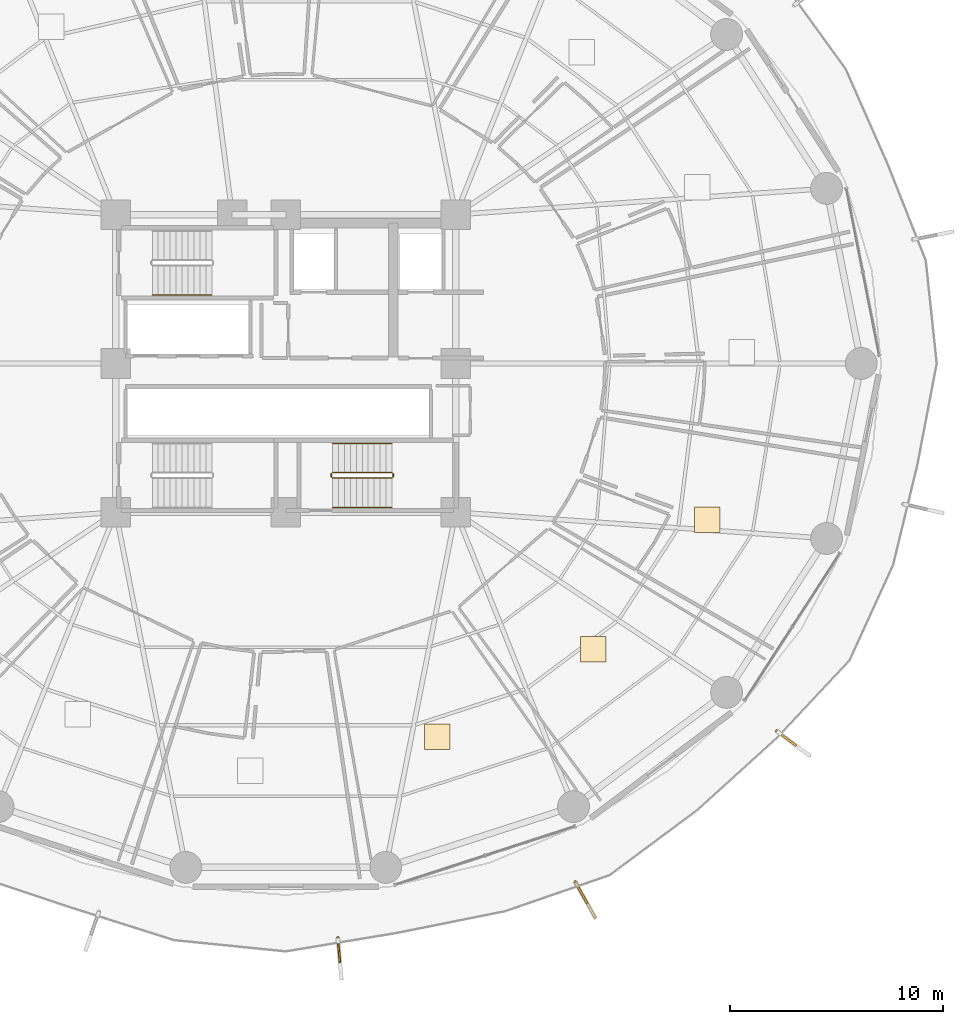
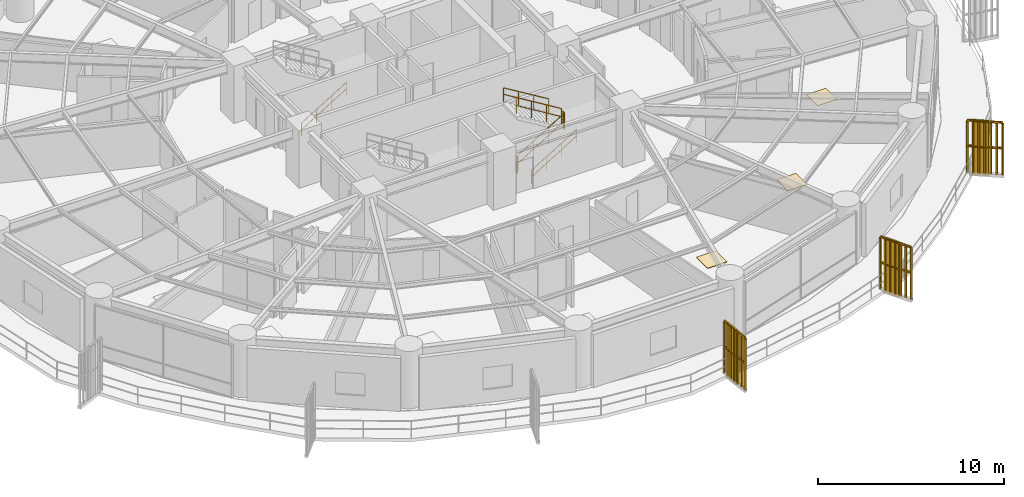
# One storey, part 31 of 34: 10 railings, 3 coverings, 3 shading devices.
"""IFC4 building model written with IfcOpenShell, lengths in metres."""

from ifc_helpers import new_model, si_unit, direction, frame, origin, origin_2d, place, context, subcontext, project, spatial, polyline, rectangle, outline, extrude, source, transform, mapped, material, layer, layer_set, type_object, element, save


model = new_model("IFC4")

# Units and contexts
model_context = context("Model", 3, precision=1e-05, world=origin(), true_north=direction((0.0, 1.0)))
body_context = subcontext(model_context, "Body", "Model", "MODEL_VIEW")
ifc_project = project(units=[si_unit("LENGTHUNIT", "METRE"), si_unit("AREAUNIT", "SQUARE_METRE"), si_unit("VOLUMEUNIT", "CUBIC_METRE"), si_unit("PLANEANGLEUNIT", "RADIAN"), si_unit("MASSUNIT", "GRAM", prefix="KILO")], contexts=[model_context])

# Site, building, storey
site_placement = place(None, origin())
site = spatial("IfcSite", under=ifc_project, at=site_placement, CompositionType="ELEMENT")
building_placement = place(site_placement, origin())
building = spatial("IfcBuilding", under=site, at=building_placement, Name="Kelanora Arch Commons", CompositionType="ELEMENT")
storey_placement = place(building_placement, frame((0.0, 0.0, 33.75)))
storey = spatial("IfcBuildingStorey", under=building, at=storey_placement, Name="L08", CompositionType="ELEMENT", Elevation=33.75)

# Railings
ifc_material_1 = material(Name="Anodised bronze vertical shading fin rib assembly")
railing_type_1 = type_object("IfcRailingType", Name="RAIL-FIN-BRZ", PredefinedType="BALUSTRADE", material=ifc_material_1)
railing_1_placement = place(storey_placement, frame((76.44775390625, 30.966796875, -0.02001953125)))
element("IfcRailing", 1, at=railing_1_placement, inside=storey, type_object=railing_type_1, Name="Sweeping Bronze Vertical Fin Blade L08-11", PredefinedType="BALUSTRADE", context=body_context, shape_type="SweptSolid", body=[
    extrude(outline(polyline([(0.06982421875, 0.0), (0.034912109375, 0.060546875), (-0.034912109375, 0.060546875), (-0.06982421875, 0.0), (-0.034912109375, -0.060546875), (0.034912109375, -0.060546875), (0.06982421875, 0.0)])), frame((0.0, 0.0, 3.419921875), z_axis=(0.090271705063, -0.995917174902, 0.0), x_axis=(0.995917174902, 0.090271705063, 0.0)), (0.0, 0.0, 1.0), 1.91748046875),
    extrude(outline(polyline([(0.06982421875, 0.0), (0.034912109375, 0.060546875), (-0.034912109375, 0.060546875), (-0.06982421875, 0.0), (-0.034912109375, -0.060546875), (0.034912109375, -0.060546875), (0.06982421875, 0.0)])), frame((0.0, 0.0, 1.7451171875), z_axis=(0.090271705063, -0.995917174902, 0.0), x_axis=(0.995917174902, 0.090271705063, 0.0)), (0.0, 0.0, 1.0), 1.91748046875),
    extrude(outline(polyline([(0.080078125, 0.0), (0.0400390625, 0.0693359375), (-0.0400390625, 0.0693359375), (-0.080078125, 0.0), (-0.0400390625, -0.0693359375), (0.0400390625, -0.0693359375), (0.080078125, 0.0)])), origin(), (0.0, 0.0, 1.0), 3.35009765625),
    extrude(outline(polyline([(0.080078125, 0.0), (0.0400390625, 0.0693359375), (-0.0400390625, 0.0693359375), (-0.080078125, 0.0), (-0.0400390625, -0.0693359375), (0.0400390625, -0.0693359375), (0.080078125, 0.0)])), frame((0.02880859375, -0.318359375, 0.0)), (0.0, 0.0, 1.0), 3.35009765625),
    extrude(outline(polyline([(0.080078125, 0.0), (0.0400390625, 0.0693359375), (-0.0400390625, 0.0693359375), (-0.080078125, 0.0), (-0.0400390625, -0.0693359375), (0.0400390625, -0.0693359375), (0.080078125, 0.0)])), frame((0.0576171875, -0.636474609375, 0.0)), (0.0, 0.0, 1.0), 3.35009765625),
    extrude(outline(polyline([(0.080078125, 0.0), (0.0400390625, 0.0693359375), (-0.0400390625, 0.0693359375), (-0.080078125, 0.0), (-0.0400390625, -0.0693359375), (0.0400390625, -0.0693359375), (0.080078125, 0.0)])), frame((0.08642578125, -0.954833984375, 0.0)), (0.0, 0.0, 1.0), 3.35009765625),
    extrude(outline(polyline([(0.080078125, 0.0), (0.0400390625, 0.0693359375), (-0.0400390625, 0.0693359375), (-0.080078125, 0.0), (-0.0400390625, -0.0693359375), (0.0400390625, -0.0693359375), (0.080078125, 0.0)])), frame((0.115478515625, -1.273193359375, 0.0)), (0.0, 0.0, 1.0), 3.35009765625),
    extrude(outline(polyline([(0.080078125, 0.0), (0.0400390625, 0.0693359375), (-0.0400390625, 0.0693359375), (-0.080078125, 0.0), (-0.0400390625, -0.0693359375), (0.0400390625, -0.0693359375), (0.080078125, 0.0)])), frame((0.144287109375, -1.59130859375, 0.0)), (0.0, 0.0, 1.0), 3.35009765625),
    extrude(outline(polyline([(0.080078125, 0.0), (0.0400390625, 0.0693359375), (-0.0400390625, 0.0693359375), (-0.080078125, 0.0), (-0.0400390625, -0.0693359375), (0.0400390625, -0.0693359375), (0.080078125, 0.0)])), frame((0.173095703125, -1.90966796875, 0.0)), (0.0, 0.0, 1.0), 3.35009765625),
])
railing_2_placement = place(storey_placement, frame((87.6240234375, 33.5966796875, -0.02001953125)))
element("IfcRailing", 2, at=railing_2_placement, inside=storey, type_object=railing_type_1, Name="Sweeping Bronze Vertical Fin Blade L08-12", PredefinedType="BALUSTRADE", context=body_context, shape_type="SweptSolid", body=[
    extrude(outline(polyline([(0.06982421875, 0.0), (0.034912109375, 0.060546875), (-0.034912109375, 0.060546875), (-0.06982421875, 0.0), (-0.034912109375, -0.060546875), (0.034912109375, -0.060546875), (0.06982421875, 0.0)])), frame((0.0, 0.0, 3.419921875), z_axis=(0.487490319577, -0.873128391658, 0.0), x_axis=(0.873128391658, 0.487490319577, 0.0)), (0.0, 0.0, 1.0), 1.917724609375),
    extrude(outline(polyline([(0.06982421875, 0.0), (0.034912109375, 0.060546875), (-0.034912109375, 0.060546875), (-0.06982421875, 0.0), (-0.034912109375, -0.060546875), (0.034912109375, -0.060546875), (0.06982421875, 0.0)])), frame((0.0, 0.0, 1.7451171875), z_axis=(0.487490319577, -0.873128391658, 0.0), x_axis=(0.873128391658, 0.487490319577, 0.0)), (0.0, 0.0, 1.0), 1.917724609375),
    extrude(outline(polyline([(0.080078125, 0.0), (0.0400390625, 0.0693359375), (-0.0400390625, 0.0693359375), (-0.080078125, 0.0), (-0.0400390625, -0.0693359375), (0.0400390625, -0.0693359375), (0.080078125, 0.0)])), origin(), (0.0, 0.0, 1.0), 3.35009765625),
    extrude(outline(polyline([(0.080078125, 0.0), (0.0400390625, 0.0693359375), (-0.0400390625, 0.0693359375), (-0.080078125, 0.0), (-0.0400390625, -0.0693359375), (0.0400390625, -0.0693359375), (0.080078125, 0.0)])), frame((0.15576171875, -0.279052734375, 0.0)), (0.0, 0.0, 1.0), 3.35009765625),
    extrude(outline(polyline([(0.080078125, 0.0), (0.0400390625, 0.0693359375), (-0.0400390625, 0.0693359375), (-0.080078125, 0.0), (-0.0400390625, -0.0693359375), (0.0400390625, -0.0693359375), (0.080078125, 0.0)])), frame((0.3115234375, -0.55810546875, 0.0)), (0.0, 0.0, 1.0), 3.35009765625),
    extrude(outline(polyline([(0.080078125, 0.0), (0.0400390625, 0.0693359375), (-0.0400390625, 0.0693359375), (-0.080078125, 0.0), (-0.0400390625, -0.0693359375), (0.0400390625, -0.0693359375), (0.080078125, 0.0)])), frame((0.46728515625, -0.837158203125, 0.0)), (0.0, 0.0, 1.0), 3.35009765625),
    extrude(outline(polyline([(0.080078125, 0.0), (0.0400390625, 0.0693359375), (-0.0400390625, 0.0693359375), (-0.080078125, 0.0), (-0.0400390625, -0.0693359375), (0.0400390625, -0.0693359375), (0.080078125, 0.0)])), frame((0.623291015625, -1.1162109375, 0.0)), (0.0, 0.0, 1.0), 3.35009765625),
    extrude(outline(polyline([(0.080078125, 0.0), (0.0400390625, 0.0693359375), (-0.0400390625, 0.0693359375), (-0.080078125, 0.0), (-0.0400390625, -0.0693359375), (0.0400390625, -0.0693359375), (0.080078125, 0.0)])), frame((0.779052734375, -1.395263671875, 0.0)), (0.0, 0.0, 1.0), 3.35009765625),
    extrude(outline(polyline([(0.080078125, 0.0), (0.0400390625, 0.0693359375), (-0.0400390625, 0.0693359375), (-0.080078125, 0.0), (-0.0400390625, -0.0693359375), (0.0400390625, -0.0693359375), (0.080078125, 0.0)])), frame((0.934814453125, -1.67431640625, 0.0)), (0.0, 0.0, 1.0), 3.35009765625),
])
railing_3_placement = place(storey_placement, frame((97.104248046875, 40.699462890625, -0.02001953125)))
element("IfcRailing", 3, at=railing_3_placement, inside=storey, type_object=railing_type_1, Name="Sweeping Bronze Vertical Fin Blade L08-13", PredefinedType="BALUSTRADE", context=body_context, shape_type="SweptSolid", body=[
    extrude(outline(polyline([(0.06982421875, 0.0), (0.034912109375, 0.060546875), (-0.034912109375, 0.060546875), (-0.06982421875, 0.0), (-0.034912109375, -0.060546875), (0.034912109375, -0.060546875), (0.06982421875, 0.0)])), frame((0.0, 0.0, 3.419921875), z_axis=(0.800503931862, -0.59932750235, 0.0), x_axis=(0.59932750235, 0.800503931862, 0.0)), (0.0, 0.0, 1.0), 1.91748046875),
    extrude(outline(polyline([(0.06982421875, 0.0), (0.034912109375, 0.060546875), (-0.034912109375, 0.060546875), (-0.06982421875, 0.0), (-0.034912109375, -0.060546875), (0.034912109375, -0.060546875), (0.06982421875, 0.0)])), frame((0.0, 0.0, 1.7451171875), z_axis=(0.800503931862, -0.59932750235, 0.0), x_axis=(0.59932750235, 0.800503931862, 0.0)), (0.0, 0.0, 1.0), 1.91748046875),
    extrude(outline(polyline([(0.080078125, 0.0), (0.0400390625, 0.0693359375), (-0.0400390625, 0.0693359375), (-0.080078125, 0.0), (-0.0400390625, -0.0693359375), (0.0400390625, -0.0693359375), (0.080078125, 0.0)])), origin(), (0.0, 0.0, 1.0), 3.35009765625),
    extrude(outline(polyline([(0.080078125, 0.0), (0.0400390625, 0.0693359375), (-0.0400390625, 0.0693359375), (-0.080078125, 0.0), (-0.0400390625, -0.0693359375), (0.0400390625, -0.0693359375), (0.080078125, 0.0)])), frame((0.255859375, -0.19140625, 0.0)), (0.0, 0.0, 1.0), 3.35009765625),
    extrude(outline(polyline([(0.080078125, 0.0), (0.0400390625, 0.0693359375), (-0.0400390625, 0.0693359375), (-0.080078125, 0.0), (-0.0400390625, -0.0693359375), (0.0400390625, -0.0693359375), (0.080078125, 0.0)])), frame((0.51171875, -0.383056640625, 0.0)), (0.0, 0.0, 1.0), 3.35009765625),
    extrude(outline(polyline([(0.080078125, 0.0), (0.0400390625, 0.0693359375), (-0.0400390625, 0.0693359375), (-0.080078125, 0.0), (-0.0400390625, -0.0693359375), (0.0400390625, -0.0693359375), (0.080078125, 0.0)])), frame((0.767578125, -0.57470703125, 0.0)), (0.0, 0.0, 1.0), 3.35009765625),
    extrude(outline(polyline([(0.080078125, 0.0), (0.0400390625, 0.0693359375), (-0.0400390625, 0.0693359375), (-0.080078125, 0.0), (-0.0400390625, -0.0693359375), (0.0400390625, -0.0693359375), (0.080078125, 0.0)])), frame((1.023193359375, -0.76611328125, 0.0)), (0.0, 0.0, 1.0), 3.35009765625),
    extrude(outline(polyline([(0.080078125, 0.0), (0.0400390625, 0.0693359375), (-0.0400390625, 0.0693359375), (-0.080078125, 0.0), (-0.0400390625, -0.0693359375), (0.0400390625, -0.0693359375), (0.080078125, 0.0)])), frame((1.279052734375, -0.95751953125, 0.0)), (0.0, 0.0, 1.0), 3.35009765625),
    extrude(outline(polyline([(0.080078125, 0.0), (0.0400390625, 0.0693359375), (-0.0400390625, 0.0693359375), (-0.080078125, 0.0), (-0.0400390625, -0.0693359375), (0.0400390625, -0.0693359375), (0.080078125, 0.0)])), frame((1.534912109375, -1.149169921875, 0.0)), (0.0, 0.0, 1.0), 3.35009765625),
])
ifc_material_2 = material(Name="Painted steel stair well guard", Category="steel")
railing_type_2 = type_object("IfcRailingType", Name="RAIL-STAIR-GRD", PredefinedType="GUARDRAIL", material=ifc_material_2)
railing_4_placement = place(storey_placement, frame((76.199951171875, 52.610107421875, 0.17041015625)))
element("IfcRailing", 4, at=railing_4_placement, inside=storey, type_object=railing_type_2, Name="L08 ST-T2 stair guard 1", PredefinedType="GUARDRAIL", context=body_context, shape_type="SweptSolid", body=[
    extrude(outline(polyline([(0.02392578125, 0.0), (0.011962890625, 0.020751953125), (-0.011962890625, 0.020751953125), (-0.02392578125, 0.0), (-0.011962890625, -0.020751953125), (0.011962890625, -0.020751953125), (0.02392578125, 0.0)])), frame((0.0, 0.0, 1.076171875), z_axis=(0.854169791009, 0.0, 0.51999420009), x_axis=(0.0, 1.0, 0.0)), (0.0, 0.0, 1.0), 3.278076171875),
    extrude(outline(polyline([(0.02392578125, 0.0), (0.011962890625, 0.020751953125), (-0.011962890625, 0.020751953125), (-0.02392578125, 0.0), (-0.011962890625, -0.020751953125), (0.011962890625, -0.020751953125), (0.02392578125, 0.0)])), frame((0.0, 0.0, 0.550048828125), z_axis=(0.854169791009, 0.0, 0.51999420009), x_axis=(0.0, 1.0, 0.0)), (0.0, 0.0, 1.0), 3.278076171875),
    extrude(outline(polyline([(0.02099609375, 0.0), (0.010498046875, 0.01806640625), (-0.010498046875, 0.01806640625), (-0.02099609375, 0.0), (-0.010498046875, -0.01806640625), (0.010498046875, -0.01806640625), (0.02099609375, 0.0)])), origin(), (0.0, 0.0, 1.0), 1.052001953125),
    extrude(outline(polyline([(0.02099609375, 0.0), (0.010498046875, 0.01806640625), (-0.010498046875, 0.01806640625), (-0.02099609375, 0.0), (-0.010498046875, -0.01806640625), (0.010498046875, -0.01806640625), (0.02099609375, 0.0)])), frame((0.933349609375, 0.0, 0.568115234375)), (0.0, 0.0, 1.0), 1.052001953125),
    extrude(outline(polyline([(0.02099609375, 0.0), (0.010498046875, 0.01806640625), (-0.010498046875, 0.01806640625), (-0.02099609375, 0.0), (-0.010498046875, -0.01806640625), (0.010498046875, -0.01806640625), (0.02099609375, 0.0)])), frame((1.86669921875, 0.0, 1.136474609375)), (0.0, 0.0, 1.0), 1.052001953125),
    extrude(outline(polyline([(0.02099609375, 0.0), (0.010498046875, 0.01806640625), (-0.010498046875, 0.01806640625), (-0.02099609375, 0.0), (-0.010498046875, -0.01806640625), (0.010498046875, -0.01806640625), (0.02099609375, 0.0)])), frame((2.800048828125, 0.0, 1.70458984375)), (0.0, 0.0, 1.0), 1.052001953125),
])
railing_5_placement = place(storey_placement, frame((79.050048828125, 52.659912109375, 1.875)))
element("IfcRailing", 5, at=railing_5_placement, inside=storey, type_object=railing_type_2, Name="L08 ST-T2 stair guard 2", PredefinedType="GUARDRAIL", context=body_context, shape_type="SweptSolid", body=[
    extrude(outline(polyline([(0.02392578125, 0.0), (0.011962890625, 0.020751953125), (-0.011962890625, 0.020751953125), (-0.02392578125, 0.0), (-0.011962890625, -0.020751953125), (0.011962890625, -0.020751953125), (0.02392578125, 0.0)])), frame((0.0, 0.0, 1.076171875), z_axis=(0.0, 1.0, 0.0), x_axis=(-1.0, 0.0, 0.0)), (0.0, 0.0, 1.0), 0.150146484375),
    extrude(outline(polyline([(0.02392578125, 0.0), (0.011962890625, 0.020751953125), (-0.011962890625, 0.020751953125), (-0.02392578125, 0.0), (-0.011962890625, -0.020751953125), (0.011962890625, -0.020751953125), (0.02392578125, 0.0)])), frame((0.0, 0.0, 0.550048828125), z_axis=(0.0, 1.0, 0.0), x_axis=(-1.0, 0.0, 0.0)), (0.0, 0.0, 1.0), 0.150146484375),
    extrude(outline(polyline([(0.02099609375, 0.0), (0.010498046875, 0.01806640625), (-0.010498046875, 0.01806640625), (-0.02099609375, 0.0), (-0.010498046875, -0.01806640625), (0.010498046875, -0.01806640625), (0.02099609375, 0.0)])), origin(), (0.0, 0.0, 1.0), 1.052001953125),
    extrude(outline(polyline([(0.02099609375, 0.0), (0.010498046875, 0.01806640625), (-0.010498046875, 0.01806640625), (-0.02099609375, 0.0), (-0.010498046875, -0.01806640625), (0.010498046875, -0.01806640625), (0.02099609375, 0.0)])), frame((0.0, 0.150146484375, 0.0)), (0.0, 0.0, 1.0), 1.052001953125),
])
railing_6_placement = place(storey_placement, frame((79.0, 52.860107421875, 2.04541015625)))
element("IfcRailing", 6, at=railing_6_placement, inside=storey, type_object=railing_type_2, Name="L08 ST-T2 stair guard 3", PredefinedType="GUARDRAIL", context=body_context, shape_type="SweptSolid", body=[
    extrude(outline(polyline([(0.02392578125, 0.0), (0.011962890625, 0.020751953125), (-0.011962890625, 0.020751953125), (-0.02392578125, 0.0), (-0.011962890625, -0.020751953125), (0.011962890625, -0.020751953125), (0.02392578125, 0.0)])), frame((0.0, 0.0, 1.076171875), z_axis=(-0.854169791009, 0.0, 0.51999420009), x_axis=(0.0, -1.0, 0.0)), (0.0, 0.0, 1.0), 3.278076171875),
    extrude(outline(polyline([(0.02392578125, 0.0), (0.011962890625, 0.020751953125), (-0.011962890625, 0.020751953125), (-0.02392578125, 0.0), (-0.011962890625, -0.020751953125), (0.011962890625, -0.020751953125), (0.02392578125, 0.0)])), frame((0.0, 0.0, 0.550048828125), z_axis=(-0.854169791009, 0.0, 0.51999420009), x_axis=(0.0, -1.0, 0.0)), (0.0, 0.0, 1.0), 3.278076171875),
    extrude(outline(polyline([(0.02099609375, 0.0), (0.010498046875, 0.01806640625), (-0.010498046875, 0.01806640625), (-0.02099609375, 0.0), (-0.010498046875, -0.01806640625), (0.010498046875, -0.01806640625), (0.02099609375, 0.0)])), origin(), (0.0, 0.0, 1.0), 1.052001953125),
    extrude(outline(polyline([(0.02099609375, 0.0), (0.010498046875, 0.01806640625), (-0.010498046875, 0.01806640625), (-0.02099609375, 0.0), (-0.010498046875, -0.01806640625), (0.010498046875, -0.01806640625), (0.02099609375, 0.0)])), frame((-0.933349609375, 0.0, 0.568115234375)), (0.0, 0.0, 1.0), 1.052001953125),
    extrude(outline(polyline([(0.02099609375, 0.0), (0.010498046875, 0.01806640625), (-0.010498046875, 0.01806640625), (-0.02099609375, 0.0), (-0.010498046875, -0.01806640625), (0.010498046875, -0.01806640625), (0.02099609375, 0.0)])), frame((-1.86669921875, 0.0, 1.136474609375)), (0.0, 0.0, 1.0), 1.052001953125),
    extrude(outline(polyline([(0.02099609375, 0.0), (0.010498046875, 0.01806640625), (-0.010498046875, 0.01806640625), (-0.02099609375, 0.0), (-0.010498046875, -0.01806640625), (0.010498046875, -0.01806640625), (0.02099609375, 0.0)])), frame((-2.800048828125, 0.0, 1.70458984375)), (0.0, 0.0, 1.0), 1.052001953125),
])
railing_7_placement = place(storey_placement, frame((76.14990234375, 52.659912109375, 0.0)))
element("IfcRailing", 7, at=railing_7_placement, inside=storey, type_object=railing_type_2, Name="L08 ST-T2 stair guard 4", PredefinedType="GUARDRAIL", context=body_context, shape_type="SweptSolid", body=[
    extrude(outline(polyline([(0.02392578125, 0.0), (0.011962890625, 0.020751953125), (-0.011962890625, 0.020751953125), (-0.02392578125, 0.0), (-0.011962890625, -0.020751953125), (0.011962890625, -0.020751953125), (0.02392578125, 0.0)])), frame((0.0, 0.0, 1.076171875), z_axis=(0.0, 1.0, 0.0), x_axis=(-1.0, 0.0, 0.0)), (0.0, 0.0, 1.0), 0.150146484375),
    extrude(outline(polyline([(0.02392578125, 0.0), (0.011962890625, 0.020751953125), (-0.011962890625, 0.020751953125), (-0.02392578125, 0.0), (-0.011962890625, -0.020751953125), (0.011962890625, -0.020751953125), (0.02392578125, 0.0)])), frame((0.0, 0.0, 0.550048828125), z_axis=(0.0, 1.0, 0.0), x_axis=(-1.0, 0.0, 0.0)), (0.0, 0.0, 1.0), 0.150146484375),
    extrude(outline(polyline([(0.02099609375, 0.0), (0.010498046875, 0.01806640625), (-0.010498046875, 0.01806640625), (-0.02099609375, 0.0), (-0.010498046875, -0.01806640625), (0.010498046875, -0.01806640625), (0.02099609375, 0.0)])), origin(), (0.0, 0.0, 1.0), 1.052001953125),
    extrude(outline(polyline([(0.02099609375, 0.0), (0.010498046875, 0.01806640625), (-0.010498046875, 0.01806640625), (-0.02099609375, 0.0), (-0.010498046875, -0.01806640625), (0.010498046875, -0.01806640625), (0.02099609375, 0.0)])), frame((0.0, 0.150146484375, 0.0)), (0.0, 0.0, 1.0), 1.052001953125),
])
ifc_material_3 = material(Name="Brushed stainless steel stair handrail", Category="steel")
railing_type_3 = type_object("IfcRailingType", Name="RAIL-STAIR-HND", PredefinedType="HANDRAIL", material=ifc_material_3)
railing_8_placement = place(storey_placement, frame((67.719970703125, 61.22998046875, 0.17041015625)))
element("IfcRailing", 8, at=railing_8_placement, inside=storey, type_object=railing_type_3, Name="L08 ST-T1 stair handrail 1", PredefinedType="HANDRAIL", context=body_context, shape_type="SweptSolid", body=[
    extrude(outline(polyline([(0.02392578125, 0.0), (0.011962890625, 0.020751953125), (-0.011962890625, 0.020751953125), (-0.02392578125, 0.0), (-0.011962890625, -0.020751953125), (0.011962890625, -0.020751953125), (0.02392578125, 0.0)])), frame((0.0, 0.0, 0.8759765625), z_axis=(0.854169791009, 0.0, 0.51999420009), x_axis=(0.0, 1.0, 0.0)), (0.0, 0.0, 1.0), 3.278076171875),
    extrude(outline(polyline([(0.02392578125, 0.0), (0.011962890625, 0.020751953125), (-0.011962890625, 0.020751953125), (-0.02392578125, 0.0), (-0.011962890625, -0.020751953125), (0.011962890625, -0.020751953125), (0.02392578125, 0.0)])), frame((0.0, 0.0, 0.449951171875), z_axis=(0.854169791009, 0.0, 0.51999420009), x_axis=(0.0, 1.0, 0.0)), (0.0, 0.0, 1.0), 3.278076171875),
    extrude(outline(polyline([(0.02099609375, 0.0), (0.010498046875, 0.01806640625), (-0.010498046875, 0.01806640625), (-0.02099609375, 0.0), (-0.010498046875, -0.01806640625), (0.010498046875, -0.01806640625), (0.02099609375, 0.0)])), origin(), (0.0, 0.0, 1.0), 0.851806640625),
    extrude(outline(polyline([(0.02099609375, 0.0), (0.010498046875, 0.01806640625), (-0.010498046875, 0.01806640625), (-0.02099609375, 0.0), (-0.010498046875, -0.01806640625), (0.010498046875, -0.01806640625), (0.02099609375, 0.0)])), frame((0.933349609375, 0.0, 0.568115234375)), (0.0, 0.0, 1.0), 0.851806640625),
    extrude(outline(polyline([(0.02099609375, 0.0), (0.010498046875, 0.01806640625), (-0.010498046875, 0.01806640625), (-0.02099609375, 0.0), (-0.010498046875, -0.01806640625), (0.010498046875, -0.01806640625), (0.02099609375, 0.0)])), frame((1.86669921875, 0.0, 1.136474609375)), (0.0, 0.0, 1.0), 0.851806640625),
    extrude(outline(polyline([(0.02099609375, 0.0), (0.010498046875, 0.01806640625), (-0.010498046875, 0.01806640625), (-0.02099609375, 0.0), (-0.010498046875, -0.01806640625), (0.010498046875, -0.01806640625), (0.02099609375, 0.0)])), frame((2.800048828125, 0.0, 1.70458984375)), (0.0, 0.0, 1.0), 0.851806640625),
])
railing_9_placement = place(storey_placement, frame((76.199951171875, 51.22998046875, 0.17041015625)))
element("IfcRailing", 9, at=railing_9_placement, inside=storey, type_object=railing_type_3, Name="L08 ST-T2 stair handrail 1", PredefinedType="HANDRAIL", context=body_context, shape_type="SweptSolid", body=[
    extrude(outline(polyline([(0.02392578125, 0.0), (0.011962890625, 0.020751953125), (-0.011962890625, 0.020751953125), (-0.02392578125, 0.0), (-0.011962890625, -0.020751953125), (0.011962890625, -0.020751953125), (0.02392578125, 0.0)])), frame((0.0, 0.0, 0.8759765625), z_axis=(0.854169791009, 0.0, 0.51999420009), x_axis=(0.0, 1.0, 0.0)), (0.0, 0.0, 1.0), 3.278076171875),
    extrude(outline(polyline([(0.02392578125, 0.0), (0.011962890625, 0.020751953125), (-0.011962890625, 0.020751953125), (-0.02392578125, 0.0), (-0.011962890625, -0.020751953125), (0.011962890625, -0.020751953125), (0.02392578125, 0.0)])), frame((0.0, 0.0, 0.449951171875), z_axis=(0.854169791009, 0.0, 0.51999420009), x_axis=(0.0, 1.0, 0.0)), (0.0, 0.0, 1.0), 3.278076171875),
    extrude(outline(polyline([(0.02099609375, 0.0), (0.010498046875, 0.01806640625), (-0.010498046875, 0.01806640625), (-0.02099609375, 0.0), (-0.010498046875, -0.01806640625), (0.010498046875, -0.01806640625), (0.02099609375, 0.0)])), origin(), (0.0, 0.0, 1.0), 0.851806640625),
    extrude(outline(polyline([(0.02099609375, 0.0), (0.010498046875, 0.01806640625), (-0.010498046875, 0.01806640625), (-0.02099609375, 0.0), (-0.010498046875, -0.01806640625), (0.010498046875, -0.01806640625), (0.02099609375, 0.0)])), frame((0.933349609375, 0.0, 0.568115234375)), (0.0, 0.0, 1.0), 0.851806640625),
    extrude(outline(polyline([(0.02099609375, 0.0), (0.010498046875, 0.01806640625), (-0.010498046875, 0.01806640625), (-0.02099609375, 0.0), (-0.010498046875, -0.01806640625), (0.010498046875, -0.01806640625), (0.02099609375, 0.0)])), frame((1.86669921875, 0.0, 1.136474609375)), (0.0, 0.0, 1.0), 0.851806640625),
    extrude(outline(polyline([(0.02099609375, 0.0), (0.010498046875, 0.01806640625), (-0.010498046875, 0.01806640625), (-0.02099609375, 0.0), (-0.010498046875, -0.01806640625), (0.010498046875, -0.01806640625), (0.02099609375, 0.0)])), frame((2.800048828125, 0.0, 1.70458984375)), (0.0, 0.0, 1.0), 0.851806640625),
])
railing_10_placement = place(storey_placement, frame((79.0, 54.239990234375, 2.04541015625)))
element("IfcRailing", 10, at=railing_10_placement, inside=storey, type_object=railing_type_3, Name="L08 ST-T2 stair handrail 2", PredefinedType="HANDRAIL", context=body_context, shape_type="SweptSolid", body=[
    extrude(outline(polyline([(0.02392578125, 0.0), (0.011962890625, 0.020751953125), (-0.011962890625, 0.020751953125), (-0.02392578125, 0.0), (-0.011962890625, -0.020751953125), (0.011962890625, -0.020751953125), (0.02392578125, 0.0)])), frame((0.0, 0.0, 0.8759765625), z_axis=(-0.854169791009, 0.0, 0.51999420009), x_axis=(0.0, -1.0, 0.0)), (0.0, 0.0, 1.0), 3.278076171875),
    extrude(outline(polyline([(0.02392578125, 0.0), (0.011962890625, 0.020751953125), (-0.011962890625, 0.020751953125), (-0.02392578125, 0.0), (-0.011962890625, -0.020751953125), (0.011962890625, -0.020751953125), (0.02392578125, 0.0)])), frame((0.0, 0.0, 0.449951171875), z_axis=(-0.854169791009, 0.0, 0.51999420009), x_axis=(0.0, -1.0, 0.0)), (0.0, 0.0, 1.0), 3.278076171875),
    extrude(outline(polyline([(0.02099609375, 0.0), (0.010498046875, 0.01806640625), (-0.010498046875, 0.01806640625), (-0.02099609375, 0.0), (-0.010498046875, -0.01806640625), (0.010498046875, -0.01806640625), (0.02099609375, 0.0)])), origin(), (0.0, 0.0, 1.0), 0.851806640625),
    extrude(outline(polyline([(0.02099609375, 0.0), (0.010498046875, 0.01806640625), (-0.010498046875, 0.01806640625), (-0.02099609375, 0.0), (-0.010498046875, -0.01806640625), (0.010498046875, -0.01806640625), (0.02099609375, 0.0)])), frame((-0.933349609375, 0.0, 0.568115234375)), (0.0, 0.0, 1.0), 0.851806640625),
    extrude(outline(polyline([(0.02099609375, 0.0), (0.010498046875, 0.01806640625), (-0.010498046875, 0.01806640625), (-0.02099609375, 0.0), (-0.010498046875, -0.01806640625), (0.010498046875, -0.01806640625), (0.02099609375, 0.0)])), frame((-1.86669921875, 0.0, 1.136474609375)), (0.0, 0.0, 1.0), 0.851806640625),
    extrude(outline(polyline([(0.02099609375, 0.0), (0.010498046875, 0.01806640625), (-0.010498046875, 0.01806640625), (-0.02099609375, 0.0), (-0.010498046875, -0.01806640625), (0.010498046875, -0.01806640625), (0.02099609375, 0.0)])), frame((-2.800048828125, 0.0, 1.70458984375)), (0.0, 0.0, 1.0), 0.851806640625),
])

# Shading devices
ifc_material_4 = material(Name="Terracotta ceramic-clad extruded aluminium fin", Category="masonry")
shading_device_type = type_object("IfcShadingDeviceType", Name="SHD-FIN-FLARE", PredefinedType="USERDEFINED", material=ifc_material_4)
shared_shape_1 = source(origin(), body_context, "Body", "SweptSolid", [
    extrude(rectangle(XDim=0.8798828125, YDim=0.090087890625, at=origin_2d()), origin(), (0.0, 0.0, 1.0), 3.610107421875),
])
for number, where, z_axis, x_axis, name in (
    (11, (76.5126953125, 30.249755859375, -0.14013671875), (0.0, 0.0, 1.0), (0.090111123946, -0.995931717208, 0.0), "Sweeping Terracotta Fin L08-11"),
    (12, (87.97509765625, 32.968017578125, -0.14013671875), (0.0, 0.0, 1.0), (0.487402531354, -0.87317740032, 0.0), "Sweeping Terracotta Fin L08-12"),
    (13, (97.680419921875, 40.267822265625, -0.14013671875), (0.0, 0.0, 1.0), (0.800417613178, -0.599442778349, 0.0), "Sweeping Terracotta Fin L08-13"),
):
    element("IfcShadingDevice", number, at=place(storey_placement, frame(where, z_axis=z_axis, x_axis=x_axis)), inside=storey, type_object=shading_device_type, Name=name, ObjectType="FIN", PredefinedType="USERDEFINED", context=body_context, shape_type="MappedRepresentation", body=[
        mapped(shared_shape_1, transform((0.0, 0.0, 0.0), scale=1.0)),
    ])

# Coverings
ifc_material_5 = material(Name="Polished local granite terrazzo flooring", Category="masonry")
ifc_layer = layer(ifc_material_5, 0.030029296875)
ifc_layer_set = layer_set([ifc_layer], Name="Polished local granite terrazzo flooring")
covering_type = type_object("IfcCoveringType", Name="COV-FLR-TER", PredefinedType="FLOORING", material=ifc_layer_set)
shared_shape_2 = source(origin(), body_context, "Body", "SweptSolid", [
    extrude(rectangle(XDim=1.199951171875, YDim=1.199951171875, at=origin_2d()), origin(), (0.0, 0.0, 1.0), 0.030029296875),
])
for number, where, z_axis, x_axis, name in (
    (14, (81.12841796875, 40.44140625, 0.0), (0.0, 0.0, 1.0), (1.0, 0.0, 0.0), "Quiet Seminar Study Room L08-12 Terrazzo Finish"),
    (15, (88.47900390625, 44.558837890625, 0.0), (0.0, 0.0, 1.0), (1.0, 0.0, 0.0), "Quiet Seminar Study Room L08-13 Terrazzo Finish"),
    (16, (93.83935546875, 50.650634765625, 0.0), (0.0, 0.0, 1.0), (1.0, 0.0, 0.0), "Co-Living Studio L08-14 Terrazzo Finish"),
):
    element("IfcCovering", number, at=place(storey_placement, frame(where, z_axis=z_axis, x_axis=x_axis)), inside=storey, type_object=covering_type, Name=name, PredefinedType="FLOORING", context=body_context, shape_type="MappedRepresentation", body=[
        mapped(shared_shape_2, transform((0.0, 0.0, 0.0), scale=1.0)),
    ])

save(model, "model.ifc")
